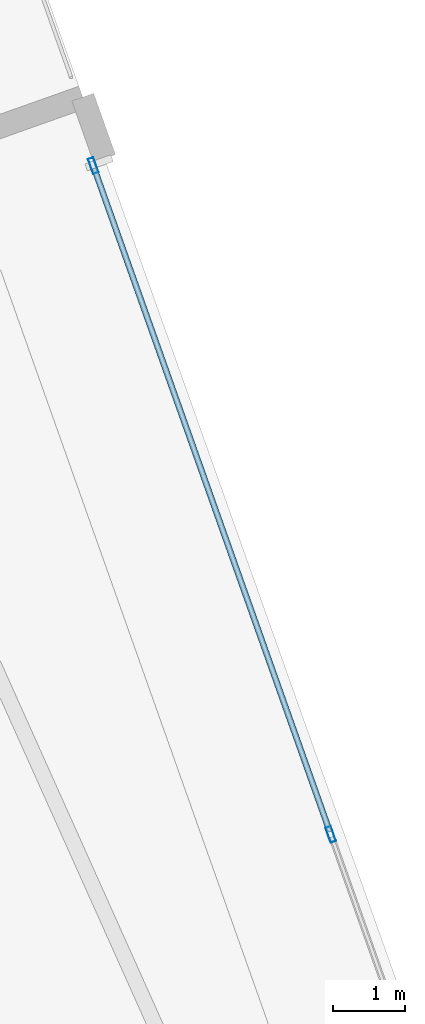
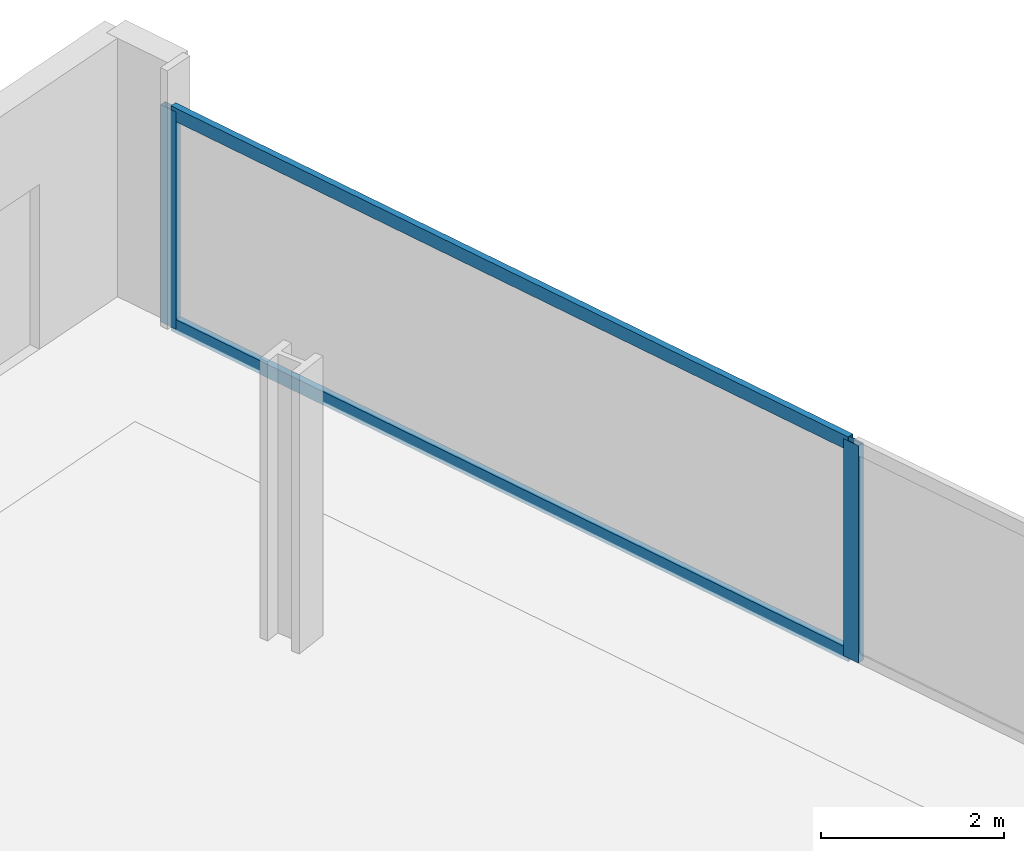
# One storey, part 23 of 33: 4 members, 1 element without a shape of its own.
"""IFC4 building model written with IfcOpenShell, lengths in metres."""

from ifc_helpers import new_model, si_unit, direction, frame, origin, origin_2d, place, context, subcontext, project, spatial, hollow_rectangle, extrude, material, material_profile, profile_set, type_object, element, aggregate, save


model = new_model("IFC4")

# Units and contexts
model_context = context("Model", 3, precision=1e-05, world=origin(), true_north=direction((0.0, 1.0)))
body_context = subcontext(model_context, "Body", "Model", "MODEL_VIEW")
ifc_project = project(units=[si_unit("LENGTHUNIT", "METRE"), si_unit("AREAUNIT", "SQUARE_METRE"), si_unit("VOLUMEUNIT", "CUBIC_METRE"), si_unit("PLANEANGLEUNIT", "RADIAN"), si_unit("MASSUNIT", "GRAM", prefix="KILO")], contexts=[model_context])

# Site, building, storey
site_placement = place(None, origin())
site = spatial("IfcSite", under=ifc_project, at=site_placement, CompositionType="ELEMENT")
building_placement = place(site_placement, origin())
building = spatial("IfcBuilding", under=site, at=building_placement, Name="Haldenkirk Collegiate Tower", CompositionType="ELEMENT")
storey_placement = place(building_placement, frame((0.0, 0.0, 94.199951171875)))
storey = spatial("IfcBuildingStorey", under=building, at=storey_placement, Name="L22", CompositionType="ELEMENT", Elevation=94.199951171875)

# Curtain wall, members
ifc_material = material(Name="Anodised architectural bronze aluminium", Category="aluminium")
curtain_wall_type = type_object("IfcCurtainWallType", Name="CW-SYS1-CONVEX-LOW", PredefinedType="USERDEFINED", material=ifc_material)
curtain_wall_placement = place(storey_placement, origin())
curtain_wall = element("IfcCurtainWall", 1, at=curtain_wall_placement, inside=storey, type_object=curtain_wall_type, Name="L22 Lower tower convex bronze-framed unitised curtain wall", ObjectType="UNITISED CURTAIN WALL", PredefinedType="USERDEFINED")
ifc_material_profile_1 = material_profile(ifc_material, hollow_rectangle(XDim=0.080078125, YDim=0.219970703125, WallThickness=0.0048828125, at=origin_2d()), Name="CW-MUL-1A")
ifc_profile_set_1 = profile_set([ifc_material_profile_1], Name="Anodised architectural bronze aluminium")
member_type_1 = type_object("IfcMemberType", Name="CW-MUL-1A", PredefinedType="MULLION", material=ifc_profile_set_1)
member_1_placement = place(storey_placement, frame((53.780029296875, 53.388671875, 0.0), z_axis=(0.0, 0.0, 1.0), x_axis=(0.942349846687, 0.334629297058, 0.0)))
member_1 = element("IfcMember", 2, at=member_1_placement, type_object=member_type_1, Name="CW-1A mullion 1", PredefinedType="MULLION", context=body_context, shape_type="SweptSolid", body=[
    extrude(hollow_rectangle(XDim=0.080078125, YDim=0.219970703125, WallThickness=0.0048828125, at=origin_2d()), origin(), (0.0, 0.0, 1.0), 2.901123046875),
])
member_2_placement = place(storey_placement, frame((57.062744140625, 44.144287109375, 0.0), z_axis=(0.0, 0.0, 1.0), x_axis=(0.942349846687, 0.334629297058, 0.0)))
member_2 = element("IfcMember", 3, at=member_2_placement, type_object=member_type_1, Name="CW-1A mullion 2", PredefinedType="MULLION", context=body_context, shape_type="SweptSolid", body=[
    extrude(hollow_rectangle(XDim=0.080078125, YDim=0.219970703125, WallThickness=0.0048828125, at=origin_2d()), origin(), (0.0, 0.0, 1.0), 2.901123046875),
])
ifc_material_profile_2 = material_profile(ifc_material, hollow_rectangle(XDim=0.080078125, YDim=0.179931640625, WallThickness=0.0048828125, at=origin_2d()), Name="CW-TRN-1A")
ifc_profile_set_2 = profile_set([ifc_material_profile_2], Name="Anodised architectural bronze aluminium")
member_type_2 = type_object("IfcMemberType", Name="CW-TRN-1A", PredefinedType="USERDEFINED", material=ifc_profile_set_2)
member_3_placement = place(storey_placement, frame((53.79345703125, 53.35107421875, 0.0400390625), z_axis=(0.334617593947, -0.94235400239, 0.0), x_axis=(0.94235400239, 0.334617593947, 0.0)))
member_3 = element("IfcMember", 4, at=member_3_placement, type_object=member_type_2, Name="CW-1A transom 1.1", ObjectType="TRANSOM", PredefinedType="USERDEFINED", context=body_context, shape_type="SweptSolid", body=[
    extrude(hollow_rectangle(XDim=0.080078125, YDim=0.179931640625, WallThickness=0.0048828125, at=origin_2d()), origin(), (0.0, 0.0, 1.0), 9.72998046875),
])
member_4_placement = place(storey_placement, frame((53.79345703125, 53.35107421875, 2.861083984375), z_axis=(0.334617593947, -0.94235400239, 0.0), x_axis=(0.94235400239, 0.334617593947, 0.0)))
member_4 = element("IfcMember", 5, at=member_4_placement, type_object=member_type_2, Name="CW-1A transom 1.2", ObjectType="TRANSOM", PredefinedType="USERDEFINED", context=body_context, shape_type="SweptSolid", body=[
    extrude(hollow_rectangle(XDim=0.080078125, YDim=0.179931640625, WallThickness=0.0048828125, at=origin_2d()), origin(), (0.0, 0.0, 1.0), 9.72998046875),
])
aggregate(curtain_wall, [member_1, member_2, member_3, member_4])

save(model, "model.ifc")
